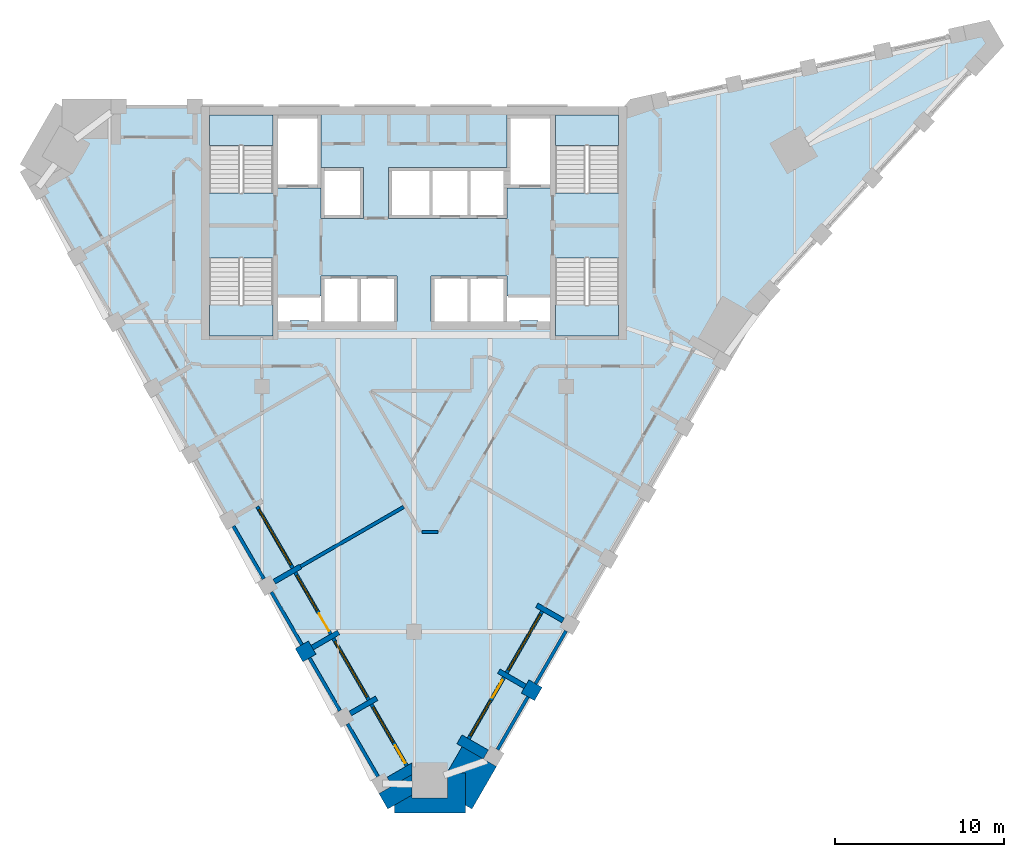
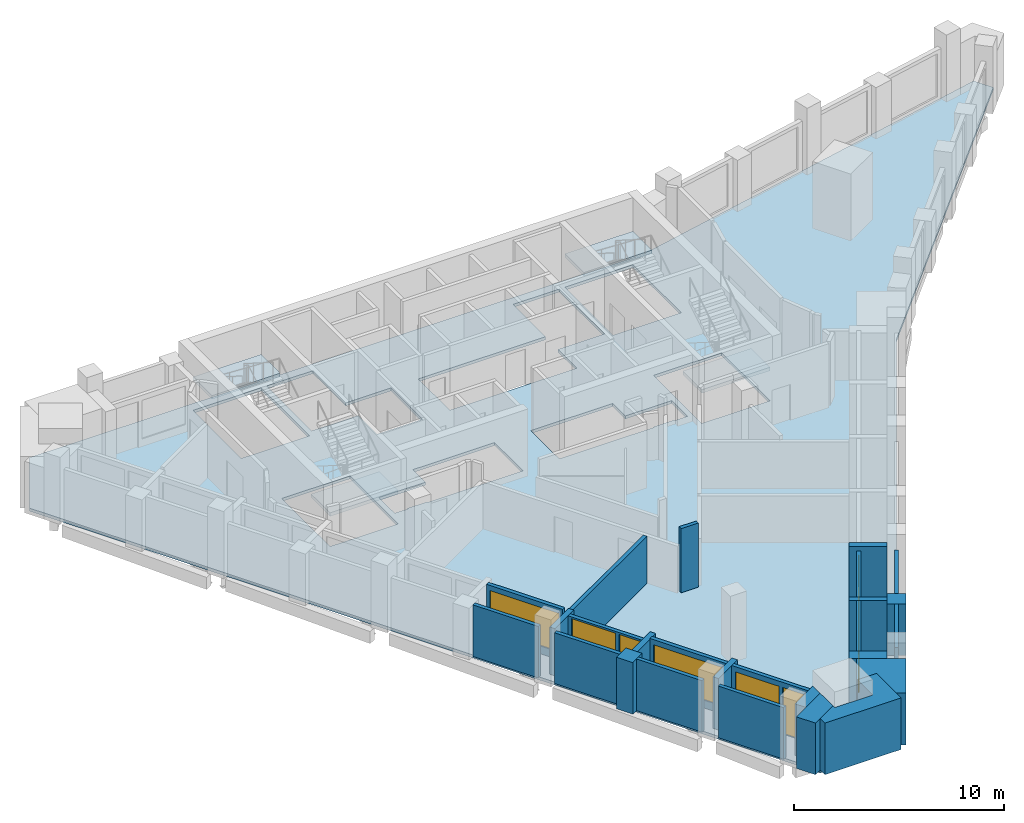
# One storey, part 2 of 9: 26 walls, 6 windows, 5 slabs, 3 doors, 9 openings, 4 elements without a shape of their own.
"""IFC4 building model written with IfcOpenShell, lengths in metres."""

from ifc_helpers import new_model, si_unit, direction, frame, frame_2d, origin, place, context, subcontext, project, spatial, polyline, rectangle, outline, extrude, material, layer, layer_set, type_object, element, fill, aggregate, save


model = new_model("IFC4")

# Units and contexts
model_context = context("Model", 3, precision=1e-05, world=origin(), true_north=direction((0.0, 1.0)))
body_context = subcontext(model_context, "Body", "Model", "MODEL_VIEW")
ifc_project = project(units=[si_unit("LENGTHUNIT", "METRE"), si_unit("AREAUNIT", "SQUARE_METRE"), si_unit("VOLUMEUNIT", "CUBIC_METRE"), si_unit("PLANEANGLEUNIT", "RADIAN"), si_unit("MASSUNIT", "GRAM", prefix="KILO")], contexts=[model_context])

# Site, building, storey
site_placement = place(None, origin())
site = spatial("IfcSite", under=ifc_project, at=site_placement, CompositionType="ELEMENT")
building_placement = place(site_placement, origin())
building = spatial("IfcBuilding", under=site, at=building_placement, Name="Calabash Gate Tower", CompositionType="ELEMENT")
storey_placement = place(building_placement, frame((0.0, 0.0, 291.10009765625)))
storey = spatial("IfcBuildingStorey", under=building, at=storey_placement, Name="L70", CompositionType="ELEMENT", Elevation=291.10009765625)

# Slab
ifc_material_1 = material(Name="Concrete C40/50", Category="concrete")
ifc_layer_1 = layer(ifc_material_1, 0.169921875)
ifc_layer_set_1 = layer_set([ifc_layer_1], Name="Composite floor slab 170 Concrete C40/50")
slab_type_1 = type_object("IfcSlabType", Name="Composite floor slab 170 Concrete C40/50", PredefinedType="FLOOR", material=ifc_layer_set_1)
slab_1_placement = place(storey_placement, frame((0.0, 0.0, -0.170166015625)))
element("IfcSlab", 1, at=slab_1_placement, inside=storey, type_object=slab_type_1, Name="Floor slab L70", PredefinedType="FLOOR", context=body_context, shape_type="SweptSolid", body=[
    extrude(outline(polyline([(-22.9111328125, 15.41796875), (-20.812744140625, 19.052490234375), (12.88134765625, 19.052490234375), (33.783935546875, 23.664794921875), (34.326904296875, 22.724365234375), (19.88134765625, 6.92822265625), (3.034423828125, -22.251953125), (-1.16259765625, -22.251953125), (-22.9111328125, 15.41796875)]), holes=[polyline([(-1.0, 9.052490234375), (-3.25, 9.052490234375), (-5.5, 9.052490234375), (-5.5, 7.8525390625), (-8.050048828125, 7.8525390625), (-8.050048828125, 6.3525390625), (-7.324951171875, 6.3525390625), (-7.324951171875, 6.402587890625), (-6.22509765625, 6.402587890625), (-6.22509765625, 6.3525390625), (-5.5, 6.3525390625), (-3.25, 6.3525390625), (-1.0, 6.3525390625), (-1.0, 9.052490234375)]), polyline([(3.25, 6.3525390625), (5.5, 6.3525390625), (6.22509765625, 6.3525390625), (6.22509765625, 6.402587890625), (7.324951171875, 6.402587890625), (7.324951171875, 6.3525390625), (8.050048828125, 6.3525390625), (8.050048828125, 7.8525390625), (5.5, 7.8525390625), (5.5, 9.052490234375), (3.25, 9.052490234375), (1.0, 9.052490234375), (1.0, 6.3525390625), (3.25, 6.3525390625)]), polyline([(-5.5, 14.252685546875), (-5.5, 12.45263671875), (-3.0, 12.45263671875), (-3.0, 15.45263671875), (-5.5, 15.45263671875), (-5.5, 18.552490234375), (-8.050048828125, 18.552490234375), (-8.050048828125, 14.252685546875), (-5.5, 14.252685546875)]), polyline([(1.0, 15.45263671875), (-1.5, 15.45263671875), (-1.5, 12.45263671875), (1.0, 12.45263671875), (3.25, 12.45263671875), (5.5, 12.45263671875), (5.5, 14.252685546875), (8.050048828125, 14.252685546875), (8.050048828125, 18.552490234375), (5.5, 18.552490234375), (5.5, 15.45263671875), (3.25, 15.45263671875), (1.0, 15.45263671875)]), polyline([(-8.35009765625, 18.552490234375), (-12.10009765625, 18.552490234375), (-12.10009765625, 13.95263671875), (-8.35009765625, 13.95263671875), (-8.35009765625, 18.552490234375)]), polyline([(-12.10009765625, 10.1025390625), (-12.10009765625, 5.502685546875), (-8.35009765625, 5.502685546875), (-8.35009765625, 10.1025390625), (-12.10009765625, 10.1025390625)]), polyline([(8.35009765625, 13.95263671875), (12.10009765625, 13.95263671875), (12.10009765625, 18.552490234375), (8.35009765625, 18.552490234375), (8.35009765625, 13.95263671875)]), polyline([(12.10009765625, 5.502685546875), (12.10009765625, 10.1025390625), (8.35009765625, 10.1025390625), (8.35009765625, 5.502685546875), (12.10009765625, 5.502685546875)])]), origin(), (0.0, 0.0, 1.0), 0.170166015625),
])

# Stair, slab
ifc_material_2 = material(Name="Concrete C40/50", Category="concrete")
stair_type = type_object("IfcStairType", Name="Exit stair 22 risers of 177.3 mm", PredefinedType="HALF_TURN_STAIR", material=ifc_material_2)
stair_1_placement = place(storey_placement, origin())
stair_1 = element("IfcStair", 2, at=stair_1_placement, inside=storey, type_object=stair_type, Name="L70 Exit stair ST1", PredefinedType="HALF_TURN_STAIR")
ifc_material_3 = material(Name="Concrete C40/50", Category="concrete")
ifc_layer_2 = layer(ifc_material_3, 0.199951171875)
ifc_layer_set_2 = layer_set([ifc_layer_2], Name="Stair landing SL200")
slab_type_2 = type_object("IfcSlabType", Name="Stair landing SL200", PredefinedType="LANDING", material=ifc_layer_set_2)
slab_2_placement = place(storey_placement, frame((0.0, 0.0, 1.75)))
slab_2 = element("IfcSlab", 3, at=slab_2_placement, type_object=slab_type_2, Name="ST1 landing 1", PredefinedType="LANDING", context=body_context, shape_type="SweptSolid", body=[
    extrude(outline(polyline([(-8.35009765625, 16.74267578125), (-8.35009765625, 18.552490234375), (-12.10009765625, 18.552490234375), (-12.10009765625, 16.74267578125), (-8.35009765625, 16.74267578125)])), origin(), (0.0, 0.0, 1.0), 0.199951171875),
])
aggregate(stair_1, [slab_2])

stair_2_placement = place(storey_placement, origin())
stair_2 = element("IfcStair", 4, at=stair_2_placement, inside=storey, type_object=stair_type, Name="L70 Exit stair ST2", PredefinedType="HALF_TURN_STAIR")
slab_3_placement = place(storey_placement, frame((0.0, 0.0, 1.75)))
slab_3 = element("IfcSlab", 5, at=slab_3_placement, type_object=slab_type_2, Name="ST2 landing 1", PredefinedType="LANDING", context=body_context, shape_type="SweptSolid", body=[
    extrude(outline(polyline([(-12.10009765625, 7.3125), (-12.10009765625, 5.502685546875), (-8.35009765625, 5.502685546875), (-8.35009765625, 7.3125), (-12.10009765625, 7.3125)])), origin(), (0.0, 0.0, 1.0), 0.199951171875),
])
aggregate(stair_2, [slab_3])

stair_3_placement = place(storey_placement, origin())
stair_3 = element("IfcStair", 6, at=stair_3_placement, inside=storey, type_object=stair_type, Name="L70 Exit stair ST3", PredefinedType="HALF_TURN_STAIR")
slab_4_placement = place(storey_placement, frame((0.0, 0.0, 1.75)))
slab_4 = element("IfcSlab", 7, at=slab_4_placement, type_object=slab_type_2, Name="ST3 landing 1", PredefinedType="LANDING", context=body_context, shape_type="SweptSolid", body=[
    extrude(outline(polyline([(12.10009765625, 16.74267578125), (12.10009765625, 18.552490234375), (8.35009765625, 18.552490234375), (8.35009765625, 16.74267578125), (12.10009765625, 16.74267578125)])), origin(), (0.0, 0.0, 1.0), 0.199951171875),
])
aggregate(stair_3, [slab_4])

stair_4_placement = place(storey_placement, origin())
stair_4 = element("IfcStair", 8, at=stair_4_placement, inside=storey, type_object=stair_type, Name="L70 Exit stair ST4", PredefinedType="HALF_TURN_STAIR")
slab_5_placement = place(storey_placement, frame((0.0, 0.0, 1.75)))
slab_5 = element("IfcSlab", 9, at=slab_5_placement, type_object=slab_type_2, Name="ST4 landing 1", PredefinedType="LANDING", context=body_context, shape_type="SweptSolid", body=[
    extrude(outline(polyline([(8.35009765625, 7.3125), (8.35009765625, 5.502685546875), (12.10009765625, 5.502685546875), (12.10009765625, 7.3125), (8.35009765625, 7.3125)])), origin(), (0.0, 0.0, 1.0), 0.199951171875),
])
aggregate(stair_4, [slab_5])

# Walls
ifc_material_4 = material(Name="Terracotta brick masonry, exposed face", Category="masonry")
ifc_layer_3 = layer(ifc_material_4, 2.35009765625)
ifc_layer_set_3 = layer_set([ifc_layer_3], Name="Brick corner mass wall 2350")
wall_type_1 = type_object("IfcWallType", Name="Brick corner mass wall 2350", PredefinedType="SOLIDWALL", material=ifc_layer_set_3)
wall_1_placement = place(storey_placement, origin())
element("IfcWall", 10, at=wall_1_placement, inside=storey, type_object=wall_type_1, Name="Brick corner pier S21 1a", PredefinedType="SOLIDWALL", context=body_context, shape_type="SweptSolid", body=[
    extrude(outline(polyline([(-0.114013671875, -20.435546875), (-2.07666015625, -21.568603515625), (-1.55224609375, -22.476806640625), (-0.114013671875, -21.646484375), (-0.114013671875, -20.435546875)])), origin(), (0.0, 0.0, 1.0), 3.0),
])
wall_2_placement = place(storey_placement, origin())
element("IfcWall", 11, at=wall_2_placement, inside=storey, type_object=wall_type_1, Name="Brick corner pier S21 1b", PredefinedType="SOLIDWALL", context=body_context, shape_type="SweptSolid", body=[
    extrude(outline(polyline([(-0.114013671875, -21.81591796875), (-0.114013671875, -21.646484375), (-1.16259765625, -22.251953125), (-1.16259765625, -22.701904296875), (3.034423828125, -22.701904296875), (3.034423828125, -20.351806640625), (1.986083984375, -20.351806640625), (1.986083984375, -21.81591796875), (-0.114013671875, -21.81591796875)])), origin(), (0.0, 0.0, 1.0), 3.0),
])
wall_3_placement = place(storey_placement, origin())
element("IfcWall", 12, at=wall_3_placement, inside=storey, type_object=wall_type_1, Name="Brick corner pier S21 1c", PredefinedType="SOLIDWALL", context=body_context, shape_type="SweptSolid", body=[
    extrude(outline(polyline([(4.87255859375, -19.9677734375), (2.83740234375, -18.79296875), (1.986083984375, -20.267578125), (1.986083984375, -20.351806640625), (3.034423828125, -20.351806640625), (3.034423828125, -22.251953125), (3.424072265625, -22.476806640625), (4.87255859375, -19.9677734375)])), origin(), (0.0, 0.0, 1.0), 3.0),
])
ifc_material_5 = material(Name="Terracotta brick masonry, exposed face", Category="masonry")
ifc_layer_4 = layer(ifc_material_5, 0.89990234375)
ifc_layer_set_4 = layer_set([ifc_layer_4], Name="Brick end wall 900")
wall_type_2 = type_object("IfcWallType", Name="Brick end wall 900", PredefinedType="SOLIDWALL", material=ifc_layer_set_4)
for number, where, z_axis, x_axis, name in (
    (13, (-6.186767578125, -13.549560546875, 0.0), (0.0, 0.0, 1.0), (-0.500105887137, 0.865964261186, 0.0), "Brick pier S21 SW0.7"),
    (14, (7.34765625, -15.68115234375, 0.0), (0.0, 0.0, 1.0), (-0.865964261186, 0.500105887137, 0.0), "Brick pier S21 SE2.1"),
):
    element("IfcWall", number, at=place(storey_placement, frame(where, z_axis=z_axis, x_axis=x_axis)), inside=storey, type_object=wall_type_2, Name=name, PredefinedType="SOLIDWALL", context=body_context, shape_type="SweptSolid", body=[
        extrude(rectangle(XDim=0.900146484375, YDim=0.89990234375, at=frame_2d((0.4501953125, 0.0))), origin(), (0.0, 0.0, 1.0), 3.0),
    ])
ifc_material_6 = material(Name="Terracotta brick masonry, exposed face", Category="masonry")
ifc_layer_5 = layer(ifc_material_6, 0.300048828125)
ifc_layer_set_5 = layer_set([ifc_layer_5], Name="Brick loggia cheek wall 300")
wall_type_3 = type_object("IfcWallType", Name="Brick loggia cheek wall 300", PredefinedType="SOLIDWALL", material=ifc_layer_set_5)
wall_4_placement = place(storey_placement, frame((-6.71337890625, -8.1376953125, 0.0), z_axis=(0.0, 0.0, 1.0), x_axis=(-0.866047807691, -0.499961193289, 0.0)))
element("IfcWall", 15, at=wall_4_placement, inside=storey, type_object=wall_type_3, Name="Loggia cheek S21 SW0.6", PredefinedType="SOLIDWALL", context=body_context, shape_type="SweptSolid", body=[
    extrude(rectangle(XDim=1.800048828125, YDim=0.300048828125, at=frame_2d((0.89990234375, 0.0))), origin(), (0.0, 0.0, 1.0), 2.74169921875),
])
wall_5_placement = place(storey_placement, frame((-6.022216796875, -12.934814453125, 0.0), z_axis=(0.0, 0.0, 1.0), x_axis=(0.865989075817, 0.500062916607, 0.0)))
element("IfcWall", 16, at=wall_5_placement, inside=storey, type_object=wall_type_3, Name="Loggia cheek S21 SW0.7", PredefinedType="SOLIDWALL", context=body_context, shape_type="SweptSolid", body=[
    extrude(rectangle(XDim=1.800048828125, YDim=0.300048828125, at=frame_2d((0.89990234375, 0.0))), origin(), (0.0, 0.0, 1.0), 2.949951171875),
])
wall_6_placement = place(storey_placement, frame((-3.772216796875, -16.831787109375, 0.0), z_axis=(0.0, 0.0, 1.0), x_axis=(0.866047807691, 0.499961193289, 0.0)))
element("IfcWall", 17, at=wall_6_placement, inside=storey, type_object=wall_type_3, Name="Loggia cheek S21 SW0.8", PredefinedType="SOLIDWALL", context=body_context, shape_type="SweptSolid", body=[
    extrude(rectangle(XDim=1.800048828125, YDim=0.300048828125, at=frame_2d((0.89990234375, 0.0))), origin(), (0.0, 0.0, 1.0), 3.0),
])
wall_7_placement = place(storey_placement, origin())
element("IfcWall", 18, at=wall_7_placement, inside=storey, type_object=wall_type_3, Name="Loggia cheek S21 SW0.9", PredefinedType="SOLIDWALL", context=body_context, shape_type="SweptSolid", body=[
    extrude(outline(polyline([(-1.297119140625, -21.11865234375), (-0.114013671875, -20.435546875), (-0.114013671875, -19.74267578125), (-1.59716796875, -20.59912109375), (-1.297119140625, -21.11865234375)])), origin(), (0.0, 0.0, 1.0), 3.0),
])
wall_8_placement = place(storey_placement, frame((2.684326171875, -18.358154296875, 0.0), z_axis=(0.0, 0.0, 1.0), x_axis=(0.866047807691, -0.499961193289, 0.0)))
element("IfcWall", 19, at=wall_8_placement, inside=storey, type_object=wall_type_3, Name="Loggia cheek S21 SE2.0", PredefinedType="SOLIDWALL", context=body_context, shape_type="SweptSolid", body=[
    extrude(rectangle(XDim=1.800048828125, YDim=0.60009765625, at=frame_2d((0.89990234375, 0.0))), origin(), (0.0, 0.0, 1.0), 3.0),
])
for number, where, z_axis, x_axis, name in (
    (20, (6.568115234375, -15.23095703125, 0.0), (0.0, 0.0, 1.0), (-0.866047807691, 0.499961193289, 0.0), "Loggia cheek S21 SE2.1"),
    (21, (7.25927734375, -10.433837890625, 0.0), (0.0, 0.0, 1.0), (0.865989075817, -0.500062916607, 0.0), "Loggia cheek S21 SE2.2"),
):
    element("IfcWall", number, at=place(storey_placement, frame(where, z_axis=z_axis, x_axis=x_axis)), inside=storey, type_object=wall_type_3, Name=name, PredefinedType="SOLIDWALL", context=body_context, shape_type="SweptSolid", body=[
        extrude(rectangle(XDim=1.800048828125, YDim=0.300048828125, at=frame_2d((0.89990234375, 0.0))), origin(), (0.0, 0.0, 1.0), 3.0),
    ])
ifc_material_7 = material(Name="Gypsum board on steel studs, mineral wool", Category="steel")
ifc_layer_6 = layer(ifc_material_7, 0.199951171875)
ifc_layer_set_6 = layer_set([ifc_layer_6], Name="Partition 200 gypsum board EI 60")
wall_type_4 = type_object("IfcWallType", Name="Partition 200 gypsum board EI 60", PredefinedType="PARTITIONING", material=ifc_layer_set_6)
wall_9_placement = place(storey_placement, frame((-6.713134765625, -8.13818359375, 0.0), z_axis=(0.0, 0.0, 1.0), x_axis=(0.86611466028, 0.499845371339, 0.0)))
element("IfcWall", 22, at=wall_9_placement, inside=storey, type_object=wall_type_4, Name="Partition", PredefinedType="PARTITIONING", context=body_context, shape_type="SweptSolid", body=[
    extrude(rectangle(XDim=7.049560546875, YDim=0.199951171875, at=frame_2d((3.52490234375, 0.0))), origin(), (0.0, 0.0, 1.0), 2.74169921875),
])
wall_10_placement = place(storey_placement, frame((0.464111328125, -6.0966796875, 0.0), z_axis=(0.0, 0.0, 1.0), x_axis=(0.999999966529, -0.000258732204, 0.0)))
element("IfcWall", 23, at=wall_10_placement, inside=storey, type_object=wall_type_4, Name="Partition", PredefinedType="PARTITIONING", context=body_context, shape_type="SweptSolid", body=[
    extrude(rectangle(XDim=0.943603515625, YDim=0.199951171875, at=frame_2d((0.4716796875, 0.0))), origin(), (0.0, 0.0, 1.0), 3.72998046875),
])
ifc_material_8 = material(Name="Terracotta brick masonry, perforated", Category="masonry")
ifc_layer_7 = layer(ifc_material_8, 0.199951171875)
ifc_layer_set_7 = layer_set([ifc_layer_7], Name="Terracotta jaali screen A")
wall_type_5 = type_object("IfcWallType", Name="Terracotta jaali screen A", PredefinedType="SOLIDWALL", material=ifc_layer_set_7)
wall_11_placement = place(storey_placement, frame((-10.686767578125, -5.755126953125, 0.0), z_axis=(0.0, 0.0, 1.0), x_axis=(0.499961193289, -0.866047807691, 0.0)))
element("IfcWall", 24, at=wall_11_placement, inside=storey, type_object=wall_type_5, Name="SCREEN A S21 SW0.6", PredefinedType="SOLIDWALL", context=body_context, shape_type="SweptSolid", body=[
    extrude(rectangle(XDim=3.599853515625, YDim=0.199951171875, at=frame_2d((1.7998046875, 0.0))), origin(), (0.0, 0.0, 1.0), 3.0),
])
wall_12_placement = place(storey_placement, frame((-8.436767578125, -9.65234375, 0.0), z_axis=(0.0, 0.0, 1.0), x_axis=(0.499961193289, -0.866047807691, 0.0)))
element("IfcWall", 25, at=wall_12_placement, inside=storey, type_object=wall_type_5, Name="SCREEN A S21 SW0.7", PredefinedType="SOLIDWALL", context=body_context, shape_type="SweptSolid", body=[
    extrude(rectangle(XDim=3.599853515625, YDim=0.199951171875, at=frame_2d((1.7998046875, 0.0))), origin(), (0.0, 0.0, 1.0), 2.949951171875),
])
for number, where, z_axis, x_axis, name in (
    (26, (-6.186767578125, -13.549560546875, 0.0), (0.0, 0.0, 1.0), (0.499961193289, -0.866047807691, 0.0), "SCREEN A S21 SW0.8"),
    (27, (-3.936767578125, -17.446533203125, 0.0), (0.0, 0.0, 1.0), (0.499961193289, -0.866047807691, 0.0), "SCREEN A S21 SW0.9"),
):
    element("IfcWall", number, at=place(storey_placement, frame(where, z_axis=z_axis, x_axis=x_axis)), inside=storey, type_object=wall_type_5, Name=name, PredefinedType="SOLIDWALL", context=body_context, shape_type="SweptSolid", body=[
        extrude(rectangle(XDim=3.599853515625, YDim=0.199951171875, at=frame_2d((1.7998046875, 0.0))), origin(), (0.0, 0.0, 1.0), 3.0),
    ])
for number, where, z_axis, x_axis, name in (
    (28, (4.932861328125, -18.96337890625, 0.0), (0.0, 0.0, 1.0), (0.500012057535, 0.866018442252, 0.0), "SCREEN A S21 SE2.1"),
    (29, (7.182861328125, -15.06640625, 0.0), (0.0, 0.0, 1.0), (0.500012057535, 0.866018442252, 0.0), "SCREEN A S21 SE2.2"),
):
    element("IfcWall", number, at=place(storey_placement, frame(where, z_axis=z_axis, x_axis=x_axis)), inside=storey, type_object=wall_type_5, Name=name, PredefinedType="SOLIDWALL", context=body_context, shape_type="SweptSolid", body=[
        extrude(rectangle(XDim=3.60009765625, YDim=0.199951171875, at=frame_2d((1.800048828125, 0.0))), origin(), (0.0, 0.0, 1.0), 3.0),
    ])

# Wall, opening, window
ifc_material_9 = material(Name="Aluminium framed window wall with insulated spandrel", Category="aluminium")
ifc_layer_8 = layer(ifc_material_9, 0.199951171875)
ifc_layer_set_8 = layer_set([ifc_layer_8], Name="Window wall 200")
wall_type_6 = type_object("IfcWallType", Name="Window wall 200", PredefinedType="ELEMENTEDWALL", material=ifc_layer_set_8)
wall_13_placement = place(storey_placement, frame((-9.278076171875, -4.595458984375, 0.0), z_axis=(0.0, 0.0, 1.0), x_axis=(0.500027713859, -0.866009402589, 0.0)))
wall_13 = element("IfcWall", 30, at=wall_13_placement, inside=storey, type_object=wall_type_6, Name="Window wall S21 SW0.6", PredefinedType="ELEMENTEDWALL", context=body_context, shape_type="SweptSolid", body=[
    extrude(rectangle(XDim=4.199951171875, YDim=0.199951171875, at=frame_2d((2.10009765625, 0.0))), origin(), (0.0, 0.0, 1.0), 3.0),
])
opening_1_placement = place(wall_13_placement, frame((0.199951171875, 0.0, 0.449951171875)))
opening_1 = element("IfcOpeningElement", 31, at=opening_1_placement, cuts=wall_13, Name="Opening OW2", PredefinedType="OPENING", context=body_context, shape_type="SweptSolid", body=[
    extrude(rectangle(XDim=3.800048828125, YDim=2.25, at=frame_2d((1.89990234375, 1.125))), frame((0.0, 0.10986328125, 0.0), z_axis=(0.0, -1.0, 0.0), x_axis=(1.0, 0.0, 0.0)), (0.0, 0.0, 1.0), 0.219970703125),
])
ifc_material_10 = material(Name="Anodised aluminium frame, bronze finish, impact-rated laminated clear glazing", Category="aluminium")
window_type_1 = type_object("IfcWindowType", Name="Window OW2 3800x2250", PartitioningType="TRIPLE_PANEL_VERTICAL", PredefinedType="WINDOW", material=ifc_material_10)
window_1_placement = place(opening_1_placement, origin())
window_1 = element("IfcWindow", 32, at=window_1_placement, inside=storey, type_object=window_type_1, Name="Window OW2 S21 SW0.6", OverallHeight=2.25, OverallWidth=3.800048828125, PartitioningType="SINGLE_PANEL", PredefinedType="WINDOW", context=body_context, shape_type="SweptSolid", body=[
    extrude(rectangle(XDim=3.800048828125, YDim=2.25, at=frame_2d((1.89990234375, 1.125))), frame((0.0, 0.030029296875, 0.0), z_axis=(0.0, -1.0, 0.0), x_axis=(1.0, 0.0, 0.0)), (0.0, 0.0, 1.0), 0.06005859375),
])
fill(opening_1, window_1)

# Wall, openings, door, window
wall_14_placement = place(storey_placement, frame((-7.028076171875, -8.492431640625, 0.0), z_axis=(0.0, 0.0, 1.0), x_axis=(0.500002543286, -0.866023935413, 0.0)))
wall_14 = element("IfcWall", 33, at=wall_14_placement, inside=storey, type_object=wall_type_6, Name="Window wall S21 SW0.7", PredefinedType="ELEMENTEDWALL", context=body_context, shape_type="SweptSolid", body=[
    extrude(rectangle(XDim=4.2001953125, YDim=0.199951171875, at=frame_2d((2.10009765625, 0.0))), origin(), (0.0, 0.0, 1.0), 2.74169921875),
])
opening_2_placement = place(wall_14_placement, frame((0.199951171875, 0.0, 0.449951171875)))
opening_2 = element("IfcOpeningElement", 34, at=opening_2_placement, cuts=wall_14, Name="Opening OW1L-2190", PredefinedType="OPENING", context=body_context, shape_type="SweptSolid", body=[
    extrude(rectangle(XDim=2.39990234375, YDim=2.18994140625, at=frame_2d((1.199951171875, 1.094970703125))), frame((0.0, 0.10986328125, 0.0), z_axis=(0.0, -1.0, 0.0), x_axis=(1.0, 0.0, 0.0)), (0.0, 0.0, 1.0), 0.219970703125),
])
opening_3_placement = place(wall_14_placement, frame((2.800048828125, 0.0, 0.0)))
opening_3 = element("IfcOpeningElement", 35, at=opening_3_placement, cuts=wall_14, Name="Opening O13-021", PredefinedType="OPENING", context=body_context, shape_type="SweptSolid", body=[
    extrude(rectangle(XDim=1.199951171875, YDim=2.639892578125, at=frame_2d((0.60009765625, 1.31982421875))), frame((0.0, 0.10986328125, 0.0), z_axis=(0.0, -1.0, 0.0), x_axis=(1.0, 0.0, 0.0)), (0.0, 0.0, 1.0), 0.219970703125),
])
ifc_material_11 = material(Name="Anodised aluminium frame, bronze finish, impact-rated laminated clear glazing", Category="aluminium")
door_type_1 = type_object("IfcDoorType", Name="Loggia door DO1L-2640 1200x2640", OperationType="SLIDING_TO_LEFT", PredefinedType="DOOR", material=ifc_material_11)
door_1_placement = place(opening_3_placement, origin())
door_1 = element("IfcDoor", 36, at=door_1_placement, inside=storey, type_object=door_type_1, Name="Loggia door S21 SW0.7", OperationType="SINGLE_SWING_LEFT", OverallHeight=2.639892578125, OverallWidth=1.199951171875, PredefinedType="DOOR", context=body_context, shape_type="SweptSolid", body=[
    extrude(rectangle(XDim=1.199951171875, YDim=2.639892578125, at=frame_2d((0.60009765625, 1.31982421875))), frame((0.0, 0.02490234375, 0.0), z_axis=(0.0, -1.0, 0.0), x_axis=(1.0, 0.0, 0.0)), (0.0, 0.0, 1.0), 0.050048828125),
])
fill(opening_3, door_1)
ifc_material_12 = material(Name="Anodised aluminium frame, bronze finish, impact-rated laminated clear glazing", Category="aluminium")
window_type_2 = type_object("IfcWindowType", Name="Window OW1L 2400x2190", PartitioningType="DOUBLE_PANEL_VERTICAL", PredefinedType="WINDOW", material=ifc_material_12)
window_2_placement = place(opening_2_placement, origin())
window_2 = element("IfcWindow", 37, at=window_2_placement, inside=storey, type_object=window_type_2, Name="Window OW1 S21 SW0.7", OverallHeight=2.18994140625, OverallWidth=2.39990234375, PartitioningType="SINGLE_PANEL", PredefinedType="WINDOW", context=body_context, shape_type="SweptSolid", body=[
    extrude(rectangle(XDim=2.39990234375, YDim=2.18994140625, at=frame_2d((1.199951171875, 1.094970703125))), frame((0.0, 0.030029296875, 0.0), z_axis=(0.0, -1.0, 0.0), x_axis=(1.0, 0.0, 0.0)), (0.0, 0.0, 1.0), 0.06005859375),
])
fill(opening_2, window_2)

# Wall, opening, window
wall_15_placement = place(storey_placement, frame((-4.778076171875, -12.3896484375, 0.0), z_axis=(0.0, 0.0, 1.0), x_axis=(0.500027713859, -0.866009402589, 0.0)))
wall_15 = element("IfcWall", 38, at=wall_15_placement, inside=storey, type_object=wall_type_6, Name="Window wall S21 SW0.8", PredefinedType="ELEMENTEDWALL", context=body_context, shape_type="SweptSolid", body=[
    extrude(rectangle(XDim=4.199951171875, YDim=0.199951171875, at=frame_2d((2.10009765625, 0.0))), origin(), (0.0, 0.0, 1.0), 3.0),
])
opening_4_placement = place(wall_15_placement, frame((0.199951171875, 0.0, 0.449951171875)))
opening_4 = element("IfcOpeningElement", 39, at=opening_4_placement, cuts=wall_15, Name="Opening OW2", PredefinedType="OPENING", context=body_context, shape_type="SweptSolid", body=[
    extrude(rectangle(XDim=3.800048828125, YDim=2.25, at=frame_2d((1.89990234375, 1.125))), frame((0.0, 0.10986328125, 0.0), z_axis=(0.0, -1.0, 0.0), x_axis=(1.0, 0.0, 0.0)), (0.0, 0.0, 1.0), 0.219970703125),
])
window_3_placement = place(opening_4_placement, origin())
window_3 = element("IfcWindow", 40, at=window_3_placement, inside=storey, type_object=window_type_1, Name="Window OW2 S21 SW0.8", OverallHeight=2.25, OverallWidth=3.800048828125, PartitioningType="SINGLE_PANEL", PredefinedType="WINDOW", context=body_context, shape_type="SweptSolid", body=[
    extrude(rectangle(XDim=3.800048828125, YDim=2.25, at=frame_2d((1.89990234375, 1.125))), frame((0.0, 0.030029296875, 0.0), z_axis=(0.0, -1.0, 0.0), x_axis=(1.0, 0.0, 0.0)), (0.0, 0.0, 1.0), 0.06005859375),
])
fill(opening_4, window_3)

# Wall, openings, door, window
wall_16_placement = place(storey_placement, frame((-2.528076171875, -16.286865234375, 0.0), z_axis=(0.0, 0.0, 1.0), x_axis=(0.500027713859, -0.866009402589, 0.0)))
wall_16 = element("IfcWall", 41, at=wall_16_placement, inside=storey, type_object=wall_type_6, Name="Window wall S21 SW0.9", PredefinedType="ELEMENTEDWALL", context=body_context, shape_type="SweptSolid", body=[
    extrude(rectangle(XDim=4.199951171875, YDim=0.199951171875, at=frame_2d((2.10009765625, 0.0))), origin(), (0.0, 0.0, 1.0), 3.0),
])
opening_5_placement = place(wall_16_placement, frame((0.199951171875, 0.0, 0.449951171875)))
opening_5 = element("IfcOpeningElement", 42, at=opening_5_placement, cuts=wall_16, Name="Opening OW1", PredefinedType="OPENING", context=body_context, shape_type="SweptSolid", body=[
    extrude(rectangle(XDim=2.39990234375, YDim=2.25, at=frame_2d((1.199951171875, 1.125))), frame((0.0, 0.10986328125, 0.0), z_axis=(0.0, -1.0, 0.0), x_axis=(1.0, 0.0, 0.0)), (0.0, 0.0, 1.0), 0.219970703125),
])
opening_6_placement = place(wall_16_placement, frame((2.800048828125, 0.0, 0.0)))
opening_6 = element("IfcOpeningElement", 43, at=opening_6_placement, cuts=wall_16, Name="Opening O13-022", PredefinedType="OPENING", context=body_context, shape_type="SweptSolid", body=[
    extrude(rectangle(XDim=1.199951171875, YDim=2.699951171875, at=frame_2d((0.60009765625, 1.35009765625))), frame((0.0, 0.10986328125, 0.0), z_axis=(0.0, -1.0, 0.0), x_axis=(1.0, 0.0, 0.0)), (0.0, 0.0, 1.0), 0.219970703125),
])
ifc_material_13 = material(Name="Anodised aluminium frame, bronze finish, impact-rated laminated clear glazing", Category="aluminium")
door_type_2 = type_object("IfcDoorType", Name="Loggia door DO1 1200x2700", OperationType="SLIDING_TO_LEFT", PredefinedType="DOOR", material=ifc_material_13)
door_2_placement = place(opening_6_placement, origin())
door_2 = element("IfcDoor", 44, at=door_2_placement, inside=storey, type_object=door_type_2, Name="Loggia door S21 SW0.9", OperationType="SINGLE_SWING_LEFT", OverallHeight=2.699951171875, OverallWidth=1.199951171875, PredefinedType="DOOR", context=body_context, shape_type="SweptSolid", body=[
    extrude(rectangle(XDim=1.199951171875, YDim=2.699951171875, at=frame_2d((0.60009765625, 1.35009765625))), frame((0.0, 0.02490234375, 0.0), z_axis=(0.0, -1.0, 0.0), x_axis=(1.0, 0.0, 0.0)), (0.0, 0.0, 1.0), 0.050048828125),
])
fill(opening_6, door_2)
ifc_material_14 = material(Name="Anodised aluminium frame, bronze finish, impact-rated laminated clear glazing", Category="aluminium")
window_type_3 = type_object("IfcWindowType", Name="Window OW1 2400x2250", PartitioningType="DOUBLE_PANEL_VERTICAL", PredefinedType="WINDOW", material=ifc_material_14)
window_4_placement = place(opening_5_placement, origin())
window_4 = element("IfcWindow", 45, at=window_4_placement, inside=storey, type_object=window_type_3, Name="Window OW1 S21 SW0.9", OverallHeight=2.25, OverallWidth=2.39990234375, PartitioningType="SINGLE_PANEL", PredefinedType="WINDOW", context=body_context, shape_type="SweptSolid", body=[
    extrude(rectangle(XDim=2.39990234375, YDim=2.25, at=frame_2d((1.199951171875, 1.125))), frame((0.0, 0.030029296875, 0.0), z_axis=(0.0, -1.0, 0.0), x_axis=(1.0, 0.0, 0.0)), (0.0, 0.0, 1.0), 0.06005859375),
])
fill(opening_5, window_4)

wall_17_placement = place(storey_placement, frame((3.22412109375, -18.3232421875, 0.0), z_axis=(0.0, 0.0, 1.0), x_axis=(0.49998411664, 0.866034573852, 0.0)))
wall_17 = element("IfcWall", 46, at=wall_17_placement, inside=storey, type_object=wall_type_6, Name="Window wall S21 SE2.1", PredefinedType="ELEMENTEDWALL", context=body_context, shape_type="SweptSolid", body=[
    extrude(rectangle(XDim=4.199951171875, YDim=0.199951171875, at=frame_2d((2.10009765625, 0.0))), origin(), (0.0, 0.0, 1.0), 3.0),
])
opening_7_placement = place(wall_17_placement, frame((0.199951171875, 0.0, 0.449951171875)))
opening_7 = element("IfcOpeningElement", 47, at=opening_7_placement, cuts=wall_17, Name="Opening OW1", PredefinedType="OPENING", context=body_context, shape_type="SweptSolid", body=[
    extrude(rectangle(XDim=2.39990234375, YDim=2.25, at=frame_2d((1.199951171875, 1.125))), frame((0.0, 0.10986328125, 0.0), z_axis=(0.0, -1.0, 0.0), x_axis=(1.0, 0.0, 0.0)), (0.0, 0.0, 1.0), 0.219970703125),
])
opening_8_placement = place(wall_17_placement, frame((2.800048828125, 0.0, 0.0)))
opening_8 = element("IfcOpeningElement", 48, at=opening_8_placement, cuts=wall_17, Name="Opening O13-015", PredefinedType="OPENING", context=body_context, shape_type="SweptSolid", body=[
    extrude(rectangle(XDim=1.199951171875, YDim=2.699951171875, at=frame_2d((0.60009765625, 1.35009765625))), frame((0.0, 0.10986328125, 0.0), z_axis=(0.0, -1.0, 0.0), x_axis=(1.0, 0.0, 0.0)), (0.0, 0.0, 1.0), 0.219970703125),
])
door_3_placement = place(opening_8_placement, origin())
door_3 = element("IfcDoor", 49, at=door_3_placement, inside=storey, type_object=door_type_2, Name="Loggia door S21 SE2.1", OperationType="SINGLE_SWING_LEFT", OverallHeight=2.699951171875, OverallWidth=1.199951171875, PredefinedType="DOOR", context=body_context, shape_type="SweptSolid", body=[
    extrude(rectangle(XDim=1.199951171875, YDim=2.699951171875, at=frame_2d((0.60009765625, 1.35009765625))), frame((0.0, 0.02490234375, 0.0), z_axis=(0.0, -1.0, 0.0), x_axis=(1.0, 0.0, 0.0)), (0.0, 0.0, 1.0), 0.050048828125),
])
fill(opening_8, door_3)
window_5_placement = place(opening_7_placement, origin())
window_5 = element("IfcWindow", 50, at=window_5_placement, inside=storey, type_object=window_type_3, Name="Window OW1 S21 SE2.1", OverallHeight=2.25, OverallWidth=2.39990234375, PartitioningType="SINGLE_PANEL", PredefinedType="WINDOW", context=body_context, shape_type="SweptSolid", body=[
    extrude(rectangle(XDim=2.39990234375, YDim=2.25, at=frame_2d((1.199951171875, 1.125))), frame((0.0, 0.030029296875, 0.0), z_axis=(0.0, -1.0, 0.0), x_axis=(1.0, 0.0, 0.0)), (0.0, 0.0, 1.0), 0.06005859375),
])
fill(opening_7, window_5)

# Wall, opening, window
wall_18_placement = place(storey_placement, frame((5.47412109375, -14.42626953125, 0.0), z_axis=(0.0, 0.0, 1.0), x_axis=(0.499958946799, 0.866049104564, 0.0)))
wall_18 = element("IfcWall", 51, at=wall_18_placement, inside=storey, type_object=wall_type_6, Name="Window wall S21 SE2.2", PredefinedType="ELEMENTEDWALL", context=body_context, shape_type="SweptSolid", body=[
    extrude(rectangle(XDim=4.199951171875, YDim=0.199951171875, at=frame_2d((2.10009765625, 0.0))), origin(), (0.0, 0.0, 1.0), 2.74169921875),
])
opening_9_placement = place(wall_18_placement, frame((0.199951171875, 0.0, 0.449951171875)))
opening_9 = element("IfcOpeningElement", 52, at=opening_9_placement, cuts=wall_18, Name="Opening OW2L-2190", PredefinedType="OPENING", context=body_context, shape_type="SweptSolid", body=[
    extrude(rectangle(XDim=3.800048828125, YDim=2.18994140625, at=frame_2d((1.89990234375, 1.094970703125))), frame((0.0, 0.10986328125, 0.0), z_axis=(0.0, -1.0, 0.0), x_axis=(1.0, 0.0, 0.0)), (0.0, 0.0, 1.0), 0.219970703125),
])
ifc_material_15 = material(Name="Anodised aluminium frame, bronze finish, impact-rated laminated clear glazing", Category="aluminium")
window_type_4 = type_object("IfcWindowType", Name="Window OW2L 3800x2190", PartitioningType="TRIPLE_PANEL_VERTICAL", PredefinedType="WINDOW", material=ifc_material_15)
window_6_placement = place(opening_9_placement, origin())
window_6 = element("IfcWindow", 53, at=window_6_placement, inside=storey, type_object=window_type_4, Name="Window OW2 S21 SE2.2", OverallHeight=2.18994140625, OverallWidth=3.800048828125, PartitioningType="SINGLE_PANEL", PredefinedType="WINDOW", context=body_context, shape_type="SweptSolid", body=[
    extrude(rectangle(XDim=3.800048828125, YDim=2.18994140625, at=frame_2d((1.89990234375, 1.094970703125))), frame((0.0, 0.030029296875, 0.0), z_axis=(0.0, -1.0, 0.0), x_axis=(1.0, 0.0, 0.0)), (0.0, 0.0, 1.0), 0.06005859375),
])
fill(opening_9, window_6)

save(model, "model.ifc")
